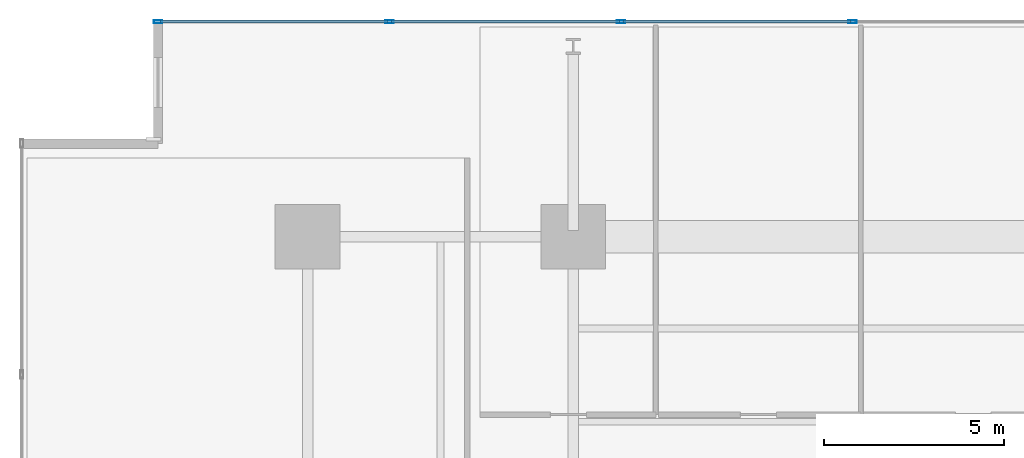
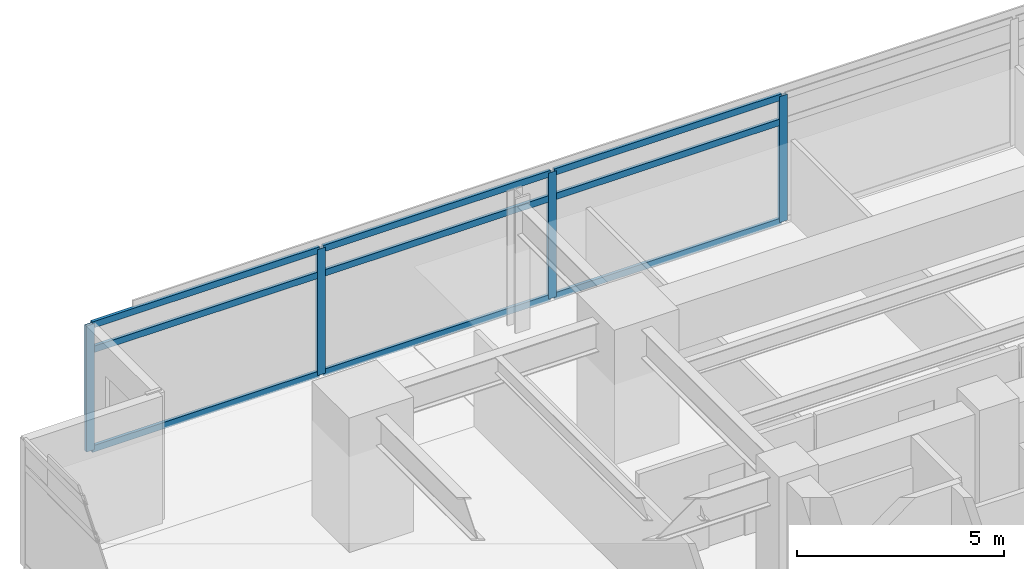
# One storey, part 8 of 23: 13 members, 1 element without a shape of its own.
"""IFC4 building model written with IfcOpenShell, lengths in metres."""

import ifcopenshell
import ifcopenshell.guid

model = None  # the IFC model being written
_history = None  # IfcOwnerHistory: only IFC2X3 demands one
_inside = {}  # id of a spatial element -> (the spatial element, [elements in it])
_under = {}  # id of a project, library or spatial element -> (it, [spatial elements below it])
_declared = {}  # id of a project -> (the project, [libraries it declares])
_typed = {}  # id of a type object -> (the type object, [elements of that type])
_made_of = {}  # id of a material, layer set ... -> (it, [elements and type objects made of it])


def new_model(schema):
    """Start an empty IFC model of exactly this schema.

    Asked for "IFC4X3", IfcOpenShell would pick the latest addendum, in which some entities
    have other attributes; the version numbers below select the first issue.
    IFC2X3 requires an IfcOwnerHistory on every rooted entity: one is made here for all.
    """
    global model, _history
    if schema == "IFC4X3":
        model = ifcopenshell.file(schema_version=(4, 3, 0, 0))
    else:
        model = ifcopenshell.file(schema=schema)
    _inside.clear()
    _under.clear()
    _declared.clear()
    _typed.clear()
    _made_of.clear()
    _history = None
    if model.schema == "IFC2X3":
        org = make("IfcOrganization", Name="unknown")
        user = make(
            "IfcPersonAndOrganization",
            ThePerson=make("IfcPerson", FamilyName="unknown"),
            TheOrganization=org,
        )
        app = make(
            "IfcApplication",
            ApplicationDeveloper=org,
            Version="unknown",
            ApplicationFullName="unknown",
            ApplicationIdentifier="unknown",
        )
        _history = make(
            "IfcOwnerHistory",
            OwningUser=user,
            OwningApplication=app,
            ChangeAction="ADDED",
            CreationDate=0,
        )
    return model


def make(cls, **values):
    """One entity of the class cls with the attributes given. An attribute that is None is left unset."""
    return model.create_entity(
        cls, **{name: value for name, value in values.items() if value is not None}
    )


def rooted(cls, **values):
    """An entity with a GlobalId (a new one), such as an element, a storey or a relation."""
    return make(cls, GlobalId=ifcopenshell.guid.new(), OwnerHistory=_history, **values)


def si_unit(unit_type, name, prefix=None):
    """IfcSIUnit, for example si_unit("LENGTHUNIT", "METRE", prefix="MILLI")."""
    return make("IfcSIUnit", UnitType=unit_type, Prefix=prefix, Name=name)


def assignment(units):
    """IfcUnitAssignment: the units of a project."""
    return None if units is None else make("IfcUnitAssignment", Units=units)


def point(xyz):
    """IfcCartesianPoint."""
    return None if xyz is None else make("IfcCartesianPoint", Coordinates=xyz)


def direction(xyz):
    """IfcDirection."""
    return None if xyz is None else make("IfcDirection", DirectionRatios=xyz)


def frame(location, z_axis=None, x_axis=None):
    """IfcAxis2Placement3D, a coordinate frame: its origin and axes. An axis left out is left unset."""
    return make(
        "IfcAxis2Placement3D",
        Location=point(location),
        Axis=direction(z_axis),
        RefDirection=direction(x_axis),
    )


def frame_2d(location, x_axis=None):
    """IfcAxis2Placement2D, a coordinate frame in the plane: its origin and x axis."""
    return make(
        "IfcAxis2Placement2D", Location=point(location), RefDirection=direction(x_axis)
    )


def origin():
    """The frame at (0, 0, 0) with its axes left unset."""
    return frame((0.0, 0.0, 0.0))


def origin_2d():
    """The frame at (0, 0) in the plane with its x axis left unset."""
    return frame_2d((0.0, 0.0))


def place(relative_to, where):
    """IfcLocalPlacement: puts the frame where relative to a parent placement (None: the world)."""
    return make(
        "IfcLocalPlacement", PlacementRelTo=relative_to, RelativePlacement=where
    )


def context(
    kind, dimensions, precision=None, world=None, true_north=None, identifier=None
):
    """IfcGeometricRepresentationContext, for example the 3D "Model" context."""
    return make(
        "IfcGeometricRepresentationContext",
        ContextIdentifier=identifier,
        ContextType=kind,
        CoordinateSpaceDimension=dimensions,
        Precision=precision,
        WorldCoordinateSystem=world,
        TrueNorth=true_north,
    )


def subcontext(parent, identifier, kind, view, scale=None):
    """IfcGeometricRepresentationSubContext, for example "Body" below "Model"."""
    return make(
        "IfcGeometricRepresentationSubContext",
        ContextIdentifier=identifier,
        ContextType=kind,
        ParentContext=parent,
        TargetScale=scale,
        TargetView=view,
    )


def project(units=None, contexts=None):
    """IfcProject with its units and contexts."""
    return rooted(
        "IfcProject",
        Name="project",
        RepresentationContexts=contexts,
        UnitsInContext=assignment(units),
    )


def spatial(cls, under=None, at=None, **own):
    """A site, building, storey or space (cls), placed at a placement, below another one or the project."""
    s = rooted(cls, ObjectPlacement=at, **own)
    if under is not None:
        _under.setdefault(under.id(), (under, []))[1].append(s)
    return s


def profile(cls, at=None, kind="AREA", **sizes):
    """A parametric profile (cls). Its sizes go by their IFC names, for example OverallWidth=200.0."""
    return make(cls, ProfileType=kind, Position=at, **sizes)


def hollow_rectangle(**sizes):
    """IfcRectangleHollowProfileDef."""
    return profile("IfcRectangleHollowProfileDef", **sizes)


def extrude(swept, where, along, depth):
    """IfcExtrudedAreaSolid: the profile swept, set in the frame where, extruded along a direction by depth."""
    return make(
        "IfcExtrudedAreaSolid",
        SweptArea=swept,
        Position=where,
        ExtrudedDirection=direction(along),
        Depth=depth,
    )


def shape(context_of_items, identifier, shape_type, items):
    """IfcShapeRepresentation: the items that make up one representation, for example the "Body"."""
    return make(
        "IfcShapeRepresentation",
        ContextOfItems=context_of_items,
        RepresentationIdentifier=identifier,
        RepresentationType=shape_type,
        Items=items,
    )


def material(Name=None, Category=None):
    """IfcMaterial."""
    return make("IfcMaterial", Name=Name, Category=Category)


def material_profile(
    of_material, cross_section, Name=None, Category=None, Priority=None
):
    """IfcMaterialProfile: a cross section and its material."""
    return make(
        "IfcMaterialProfile",
        Name=Name,
        Material=of_material,
        Profile=cross_section,
        Priority=Priority,
        Category=Category,
    )


def profile_set(profiles, Name=None, composite=None):
    """IfcMaterialProfileSet."""
    return make(
        "IfcMaterialProfileSet",
        Name=Name,
        MaterialProfiles=profiles,
        CompositeProfile=composite,
    )


def made_of(thing, what):
    """Note that an element or type object is made of a material, layer set ...; save() writes the relation."""
    if what is not None:
        _made_of.setdefault(what.id(), (what, []))[1].append(thing)
    return thing


def type_object(cls, material=None, **own):
    """A type object (cls), such as IfcWallType, which elements share."""
    return made_of(rooted(cls, **own), material)


def element(
    cls,
    number,
    at=None,
    inside=None,
    cuts=None,
    type_object=None,
    material=None,
    context=None,
    identifier="Body",
    shape_type=None,
    held_by="IfcProductDefinitionShape",
    body=None,
    shapes=None,
    **own,
):
    """One element of the class cls, such as IfcWall. Its Tag is "e" and its number.

    at: its placement. inside: the storey or other place that contains it. cuts: it is an
    opening in that element (IfcRelVoidsElement). A single representation is given by context,
    identifier, shape_type and body (its items); several are given by shapes. held_by: the class
    of the entity that holds the representations. save() writes the other relations.
    """
    e = rooted(cls, Tag="e%d" % number, ObjectPlacement=at, **own)
    if body is not None:
        shapes = [shape(context, identifier, shape_type, body)]
    if shapes is not None:
        e.Representation = make(held_by, Representations=shapes)
    if inside is not None:
        _inside.setdefault(inside.id(), (inside, []))[1].append(e)
    if cuts is not None:
        rooted(
            "IfcRelVoidsElement", RelatingBuildingElement=cuts, RelatedOpeningElement=e
        )
    if type_object is not None:
        _typed.setdefault(type_object.id(), (type_object, []))[1].append(e)
    return made_of(e, material)


def aggregate(whole, parts):
    """IfcRelAggregates: a whole, such as a stair, and the parts it consists of."""
    return rooted("IfcRelAggregates", RelatingObject=whole, RelatedObjects=parts)


def save(model, path):
    """Write the relations noted so far, then the file.

    IfcRelAggregates (storeys below a building ...), IfcRelContainedInSpatialStructure (elements
    in a storey), IfcRelDefinesByType, IfcRelAssociatesMaterial and IfcRelDeclares: one each for
    every whole, place, type object, material and project.
    """
    for whole, parts in _under.values():
        aggregate(whole, parts)
    for where, things in _inside.values():
        rooted(
            "IfcRelContainedInSpatialStructure",
            RelatedElements=things,
            RelatingStructure=where,
        )
    for kind, things in _typed.values():
        rooted("IfcRelDefinesByType", RelatedObjects=things, RelatingType=kind)
    for what, things in _made_of.values():
        rooted("IfcRelAssociatesMaterial", RelatedObjects=things, RelatingMaterial=what)
    for by, libraries in _declared.values():
        rooted("IfcRelDeclares", RelatingContext=by, RelatedDefinitions=libraries)
    model.write(path)


model = new_model("IFC4")

# Units and contexts
model_context = context("Model", 3, precision=1e-05, world=origin(), true_north=direction((0.0, 1.0)))
body_context = subcontext(model_context, "Body", "Model", "MODEL_VIEW")
ifc_project = project(units=[si_unit("LENGTHUNIT", "METRE"), si_unit("AREAUNIT", "SQUARE_METRE"), si_unit("VOLUMEUNIT", "CUBIC_METRE"), si_unit("PLANEANGLEUNIT", "RADIAN"), si_unit("MASSUNIT", "GRAM", prefix="KILO")], contexts=[model_context])

# Site, building, storey
site_placement = place(None, origin())
site = spatial("IfcSite", under=ifc_project, at=site_placement, CompositionType="ELEMENT")
building_placement = place(site_placement, origin())
building = spatial("IfcBuilding", under=site, at=building_placement, Name="Kovane Verandah Tower", CompositionType="ELEMENT")
storey_placement = place(building_placement, frame((0.0, 0.0, 91.60009765625)))
storey = spatial("IfcBuildingStorey", under=building, at=storey_placement, Name="L21", CompositionType="ELEMENT", Elevation=91.60009765625)

# Curtain wall, members
ifc_material_1 = material(Name="Champagne Anodised Aluminium Frame with Low-E Clear Laminated Glass", Category="aluminium")
curtain_wall_type = type_object("IfcCurtainWallType", Name="CW-SYS-02-LOW", PredefinedType="NOTDEFINED", material=ifc_material_1)
curtain_wall_placement = place(storey_placement, origin())
curtain_wall = element("IfcCurtainWall", 1, at=curtain_wall_placement, inside=storey, type_object=curtain_wall_type, Name="L21 N Unitised Curtain Wall", PredefinedType="NOTDEFINED")
ifc_material_2 = material(Name="Champagne Anodised Aluminium 6063-T6", Category="aluminium")
ifc_material_profile_1 = material_profile(ifc_material_2, hollow_rectangle(XDim=0.0849609375, YDim=0.22998046875, WallThickness=0.00390625, at=origin_2d()), Name="AL85x230x4")
ifc_profile_set_1 = profile_set([ifc_material_profile_1], Name="Champagne Anodised Aluminium 6063-T6")
member_type_1 = type_object("IfcMemberType", Name="CW-MUL-85x230", PredefinedType="MULLION", material=ifc_profile_set_1)
member_1_placement = place(storey_placement, frame((36.776611328125, 50.19482421875, 0.02001953125), z_axis=(0.0, 0.0, 1.0), x_axis=(0.0, 1.0, 0.0)))
member_1 = element("IfcMember", 2, at=member_1_placement, type_object=member_type_1, Name="L21 N Unitised Curtain Wall Mullion 5", PredefinedType="MULLION", context=body_context, shape_type="SweptSolid", body=[
    extrude(hollow_rectangle(XDim=0.0849609375, YDim=0.22998046875, WallThickness=0.00390625, at=origin_2d()), origin(), (0.0, 0.0, 1.0), 3.719970703125),
])
member_2_placement = place(storey_placement, frame((30.32958984375, 50.19482421875, 0.02001953125), z_axis=(0.0, 0.0, 1.0), x_axis=(0.0, 1.0, 0.0)))
member_2 = element("IfcMember", 3, at=member_2_placement, type_object=member_type_1, Name="L21 N Unitised Curtain Wall Mullion 6", PredefinedType="MULLION", context=body_context, shape_type="SweptSolid", body=[
    extrude(hollow_rectangle(XDim=0.0849609375, YDim=0.22998046875, WallThickness=0.00390625, at=origin_2d()), origin(), (0.0, 0.0, 1.0), 3.719970703125),
])
member_3_placement = place(storey_placement, frame((23.8828125, 50.19482421875, 0.02001953125), z_axis=(0.0, 0.0, 1.0), x_axis=(0.0, 1.0, 0.0)))
member_3 = element("IfcMember", 4, at=member_3_placement, type_object=member_type_1, Name="L21 N Unitised Curtain Wall Mullion 7", PredefinedType="MULLION", context=body_context, shape_type="SweptSolid", body=[
    extrude(hollow_rectangle(XDim=0.0849609375, YDim=0.22998046875, WallThickness=0.00390625, at=origin_2d()), origin(), (0.0, 0.0, 1.0), 3.719970703125),
])
member_4_placement = place(storey_placement, frame((17.435791015625, 50.19482421875, 0.02001953125), z_axis=(0.0, 0.0, 1.0), x_axis=(0.0, 1.0, 0.0)))
member_4 = element("IfcMember", 5, at=member_4_placement, type_object=member_type_1, Name="L21 N Unitised Curtain Wall Mullion 8", PredefinedType="MULLION", context=body_context, shape_type="SweptSolid", body=[
    extrude(hollow_rectangle(XDim=0.0849609375, YDim=0.22998046875, WallThickness=0.00390625, at=origin_2d()), origin(), (0.0, 0.0, 1.0), 3.719970703125),
])
ifc_material_profile_2 = material_profile(ifc_material_2, hollow_rectangle(XDim=0.0849609375, YDim=0.18994140625, WallThickness=0.00390625, at=origin_2d()), Name="AL85x190x4")
ifc_profile_set_2 = profile_set([ifc_material_profile_2], Name="Champagne Anodised Aluminium 6063-T6")
member_type_2 = type_object("IfcMemberType", Name="CW-TRN-85x190", PredefinedType="USERDEFINED", material=ifc_profile_set_2)
member_5_placement = place(storey_placement, frame((36.7265625, 50.19482421875, 0.0498046875), z_axis=(-1.0, 0.0, 0.0), x_axis=(0.0, -1.0, 0.0)))
member_5 = element("IfcMember", 6, at=member_5_placement, type_object=member_type_2, Name="L21 N Unitised Curtain Wall Transom TB Bay 5", ObjectType="TRANSOM", PredefinedType="USERDEFINED", context=body_context, shape_type="SweptSolid", body=[
    extrude(hollow_rectangle(XDim=0.0849609375, YDim=0.18994140625, WallThickness=0.00390625, at=origin_2d()), origin(), (0.0, 0.0, 1.0), 6.346923828125),
])
member_6_placement = place(storey_placement, frame((36.7265625, 50.19482421875, 2.97998046875), z_axis=(-1.0, 0.0, 0.0), x_axis=(0.0, -1.0, 0.0)))
member_6 = element("IfcMember", 7, at=member_6_placement, type_object=member_type_2, Name="L21 N Unitised Curtain Wall Transom TM Bay 5", ObjectType="TRANSOM", PredefinedType="USERDEFINED", context=body_context, shape_type="SweptSolid", body=[
    extrude(hollow_rectangle(XDim=0.0849609375, YDim=0.18994140625, WallThickness=0.00390625, at=origin_2d()), origin(), (0.0, 0.0, 1.0), 6.346923828125),
])
member_7_placement = place(storey_placement, frame((36.7265625, 50.19482421875, 3.7099609375), z_axis=(-1.0, 0.0, 0.0), x_axis=(0.0, -1.0, 0.0)))
member_7 = element("IfcMember", 8, at=member_7_placement, type_object=member_type_2, Name="L21 N Unitised Curtain Wall Transom TT Bay 5", ObjectType="TRANSOM", PredefinedType="USERDEFINED", context=body_context, shape_type="SweptSolid", body=[
    extrude(hollow_rectangle(XDim=0.0849609375, YDim=0.18994140625, WallThickness=0.00390625, at=origin_2d()), origin(), (0.0, 0.0, 1.0), 6.346923828125),
])
member_8_placement = place(storey_placement, frame((30.27978515625, 50.19482421875, 0.0498046875), z_axis=(-1.0, 0.0, 0.0), x_axis=(0.0, -1.0, 0.0)))
member_8 = element("IfcMember", 9, at=member_8_placement, type_object=member_type_2, Name="L21 N Unitised Curtain Wall Transom TB Bay 6", ObjectType="TRANSOM", PredefinedType="USERDEFINED", context=body_context, shape_type="SweptSolid", body=[
    extrude(hollow_rectangle(XDim=0.0849609375, YDim=0.18994140625, WallThickness=0.00390625, at=origin_2d()), origin(), (0.0, 0.0, 1.0), 6.346923828125),
])
member_9_placement = place(storey_placement, frame((30.27978515625, 50.19482421875, 2.97998046875), z_axis=(-1.0, 0.0, 0.0), x_axis=(0.0, -1.0, 0.0)))
member_9 = element("IfcMember", 10, at=member_9_placement, type_object=member_type_2, Name="L21 N Unitised Curtain Wall Transom TM Bay 6", ObjectType="TRANSOM", PredefinedType="USERDEFINED", context=body_context, shape_type="SweptSolid", body=[
    extrude(hollow_rectangle(XDim=0.0849609375, YDim=0.18994140625, WallThickness=0.00390625, at=origin_2d()), origin(), (0.0, 0.0, 1.0), 6.346923828125),
])
member_10_placement = place(storey_placement, frame((30.27978515625, 50.19482421875, 3.7099609375), z_axis=(-1.0, 0.0, 0.0), x_axis=(0.0, -1.0, 0.0)))
member_10 = element("IfcMember", 11, at=member_10_placement, type_object=member_type_2, Name="L21 N Unitised Curtain Wall Transom TT Bay 6", ObjectType="TRANSOM", PredefinedType="USERDEFINED", context=body_context, shape_type="SweptSolid", body=[
    extrude(hollow_rectangle(XDim=0.0849609375, YDim=0.18994140625, WallThickness=0.00390625, at=origin_2d()), origin(), (0.0, 0.0, 1.0), 6.346923828125),
])
member_11_placement = place(storey_placement, frame((23.832763671875, 50.19482421875, 0.0498046875), z_axis=(-1.0, 0.0, 0.0), x_axis=(0.0, -1.0, 0.0)))
member_11 = element("IfcMember", 12, at=member_11_placement, type_object=member_type_2, Name="L21 N Unitised Curtain Wall Transom TB Bay 7", ObjectType="TRANSOM", PredefinedType="USERDEFINED", context=body_context, shape_type="SweptSolid", body=[
    extrude(hollow_rectangle(XDim=0.0849609375, YDim=0.18994140625, WallThickness=0.00390625, at=origin_2d()), origin(), (0.0, 0.0, 1.0), 6.346923828125),
])
member_12_placement = place(storey_placement, frame((23.832763671875, 50.19482421875, 2.97998046875), z_axis=(-1.0, 0.0, 0.0), x_axis=(0.0, -1.0, 0.0)))
member_12 = element("IfcMember", 13, at=member_12_placement, type_object=member_type_2, Name="L21 N Unitised Curtain Wall Transom TM Bay 7", ObjectType="TRANSOM", PredefinedType="USERDEFINED", context=body_context, shape_type="SweptSolid", body=[
    extrude(hollow_rectangle(XDim=0.0849609375, YDim=0.18994140625, WallThickness=0.00390625, at=origin_2d()), origin(), (0.0, 0.0, 1.0), 6.346923828125),
])
member_13_placement = place(storey_placement, frame((23.832763671875, 50.19482421875, 3.7099609375), z_axis=(-1.0, 0.0, 0.0), x_axis=(0.0, -1.0, 0.0)))
member_13 = element("IfcMember", 14, at=member_13_placement, type_object=member_type_2, Name="L21 N Unitised Curtain Wall Transom TT Bay 7", ObjectType="TRANSOM", PredefinedType="USERDEFINED", context=body_context, shape_type="SweptSolid", body=[
    extrude(hollow_rectangle(XDim=0.0849609375, YDim=0.18994140625, WallThickness=0.00390625, at=origin_2d()), origin(), (0.0, 0.0, 1.0), 6.346923828125),
])
aggregate(curtain_wall, [member_1, member_2, member_3, member_4, member_5, member_6, member_7, member_8, member_9, member_10, member_11, member_12, member_13])

save(model, "model.ifc")
